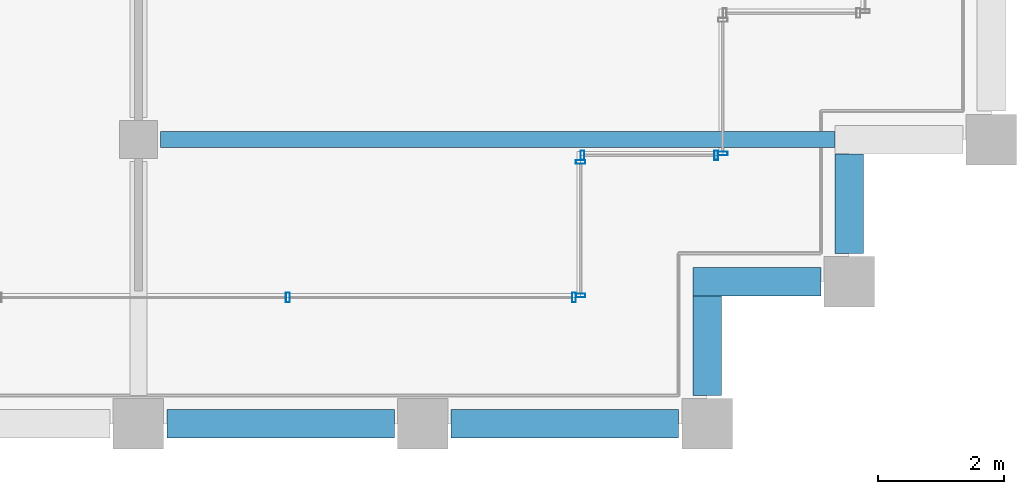
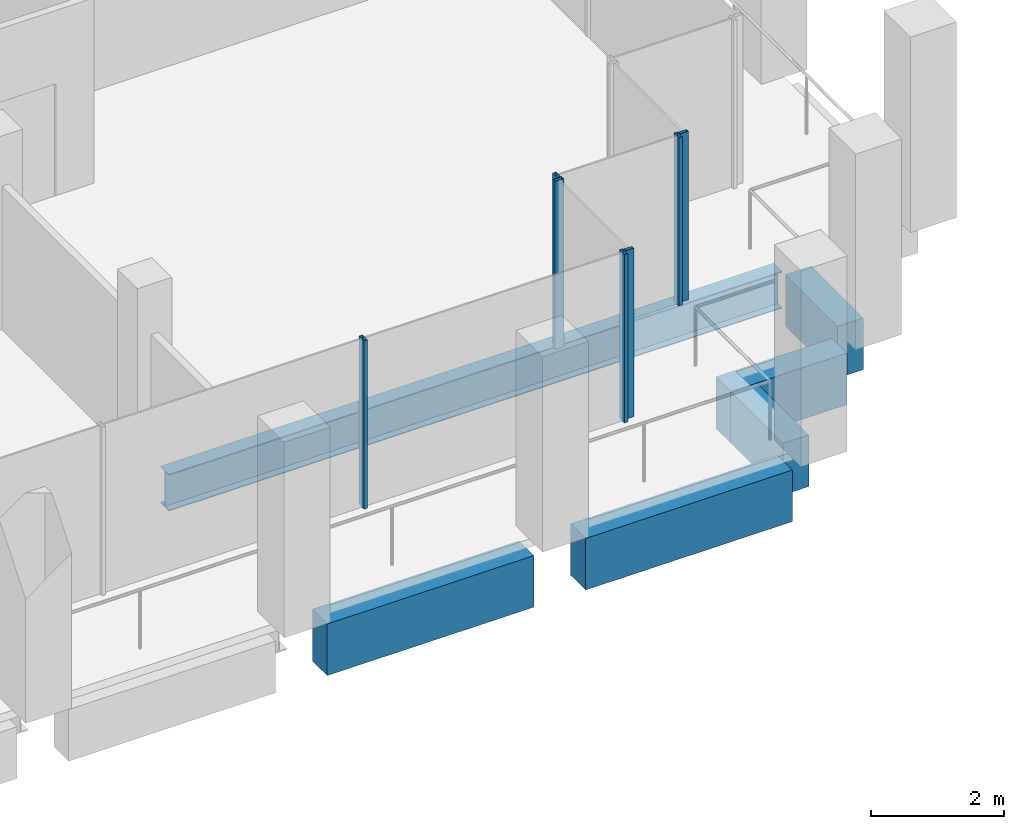
# One storey, part 12 of 40: 7 members, 6 beams, 4 elements without a shape of their own.
"""IFC4 building model written with IfcOpenShell, lengths in metres."""

from ifc_helpers import new_model, si_unit, direction, frame, origin, origin_2d, place, context, subcontext, project, spatial, rectangle, hollow_rectangle, i_section, extrude, material, material_profile, profile_set, type_object, element, aggregate, save


model = new_model("IFC4")

# Units and contexts
model_context = context("Model", 3, precision=1e-05, world=origin(), true_north=direction((0.0, 1.0)))
body_context = subcontext(model_context, "Body", "Model", "MODEL_VIEW")
ifc_project = project(units=[si_unit("LENGTHUNIT", "METRE"), si_unit("AREAUNIT", "SQUARE_METRE"), si_unit("VOLUMEUNIT", "CUBIC_METRE"), si_unit("PLANEANGLEUNIT", "RADIAN"), si_unit("MASSUNIT", "GRAM", prefix="KILO")], contexts=[model_context])

# Site, building, storey
site_placement = place(None, origin())
site = spatial("IfcSite", under=ifc_project, at=site_placement, CompositionType="ELEMENT")
building_placement = place(site_placement, origin())
building = spatial("IfcBuilding", under=site, at=building_placement, Name="Altepetl Exchange Towers", CompositionType="ELEMENT")
storey_placement = place(building_placement, frame((0.0, 0.0, 195.60009765625)))
storey = spatial("IfcBuildingStorey", under=building, at=storey_placement, Name="L49", CompositionType="ELEMENT", Elevation=195.60009765625)

# Beam
ifc_material_1 = material(Name="Steel S355", Category="steel")
ifc_material_profile_1 = material_profile(ifc_material_1, i_section(OverallWidth=0.2529296875, OverallDepth=0.677978515625, WebThickness=0.01171875, FlangeThickness=0.016357421875, at=origin_2d()), Name="W27X84")
ifc_profile_set_1 = profile_set([ifc_material_profile_1], Name="Steel S355")
beam_type_1 = type_object("IfcBeamType", Name="Floor beam W27X84", PredefinedType="BEAM", material=ifc_profile_set_1)
beam_1_placement = place(storey_placement, frame((58.85009765625, 31.5, -0.489013671875), z_axis=(1.0, 0.0, 0.0), x_axis=(0.0, 1.0, 0.0)))
element("IfcBeam", 1, at=beam_1_placement, inside=storey, type_object=beam_type_1, Name="bm:A:L49:006", PredefinedType="BEAM", context=body_context, shape_type="SweptSolid", body=[
    extrude(i_section(OverallWidth=0.2529296875, OverallDepth=0.677978515625, WebThickness=0.01171875, FlangeThickness=0.016357421875, at=origin_2d()), origin(), (0.0, 0.0, 1.0), 10.6748046875),
])

# Curtain wall, members
ifc_material_2 = material(Name="Aluminium 6063-T6 glazing", Category="aluminium")
curtain_wall_type = type_object("IfcCurtainWallType", Name="Loggia glazing system", PredefinedType="NOTDEFINED", material=ifc_material_2)
curtain_wall_1_placement = place(storey_placement, origin())
curtain_wall_1 = element("IfcCurtainWall", 2, at=curtain_wall_1_placement, inside=storey, type_object=curtain_wall_type, Name="CW1 run", PredefinedType="NOTDEFINED")
ifc_material_3 = material(Name="Aluminium 6063-T6", Category="aluminium")
ifc_material_profile_2 = material_profile(ifc_material_3, hollow_rectangle(XDim=0.06005859375, YDim=0.14990234375, WallThickness=0.0029296875, at=origin_2d()), Name="Mullion 60x150 aluminium")
ifc_profile_set_2 = profile_set([ifc_material_profile_2], Name="Aluminium 6063-T6")
member_type = type_object("IfcMemberType", Name="Mullion 60x150 aluminium", PredefinedType="MULLION", material=ifc_profile_set_2)
member_1_placement = place(storey_placement, frame((60.8642578125, 29.0, 0.0)))
member_1 = element("IfcMember", 3, at=member_1_placement, type_object=member_type, Name="MU1 mullion", PredefinedType="MULLION", context=body_context, shape_type="SweptSolid", body=[
    extrude(hollow_rectangle(XDim=0.06005859375, YDim=0.14990234375, WallThickness=0.0029296875, at=origin_2d()), origin(), (0.0, 0.0, 1.0), 3.099853515625),
])
member_2_placement = place(storey_placement, frame((65.39501953125, 29.0, 0.0)))
member_2 = element("IfcMember", 4, at=member_2_placement, type_object=member_type, Name="MU1 mullion", PredefinedType="MULLION", context=body_context, shape_type="SweptSolid", body=[
    extrude(hollow_rectangle(XDim=0.06005859375, YDim=0.14990234375, WallThickness=0.0029296875, at=origin_2d()), origin(), (0.0, 0.0, 1.0), 3.099853515625),
])
aggregate(curtain_wall_1, [member_1, member_2])

curtain_wall_2_placement = place(storey_placement, origin())
curtain_wall_2 = element("IfcCurtainWall", 5, at=curtain_wall_2_placement, inside=storey, type_object=curtain_wall_type, Name="CW1 run", PredefinedType="NOTDEFINED")
member_3_placement = place(storey_placement, frame((65.5, 29.030029296875, 0.0), z_axis=(0.0, 0.0, 1.0), x_axis=(0.0, 1.0, 0.0)))
member_3 = element("IfcMember", 6, at=member_3_placement, type_object=member_type, Name="MU1 mullion", PredefinedType="MULLION", context=body_context, shape_type="SweptSolid", body=[
    extrude(hollow_rectangle(XDim=0.06005859375, YDim=0.14990234375, WallThickness=0.0029296875, at=origin_2d()), origin(), (0.0, 0.0, 1.0), 3.099853515625),
])
member_4_placement = place(storey_placement, frame((65.5, 31.14501953125, 0.0), z_axis=(0.0, 0.0, 1.0), x_axis=(0.0, 1.0, 0.0)))
member_4 = element("IfcMember", 7, at=member_4_placement, type_object=member_type, Name="MU1 mullion", PredefinedType="MULLION", context=body_context, shape_type="SweptSolid", body=[
    extrude(hollow_rectangle(XDim=0.06005859375, YDim=0.14990234375, WallThickness=0.0029296875, at=origin_2d()), origin(), (0.0, 0.0, 1.0), 3.099853515625),
])
aggregate(curtain_wall_2, [member_3, member_4])

curtain_wall_3_placement = place(storey_placement, origin())
curtain_wall_3 = element("IfcCurtainWall", 8, at=curtain_wall_3_placement, inside=storey, type_object=curtain_wall_type, Name="CW1 run", PredefinedType="NOTDEFINED")
member_5_placement = place(storey_placement, frame((65.530029296875, 31.25, 0.0)))
member_5 = element("IfcMember", 9, at=member_5_placement, type_object=member_type, Name="MU1 mullion", PredefinedType="MULLION", context=body_context, shape_type="SweptSolid", body=[
    extrude(hollow_rectangle(XDim=0.06005859375, YDim=0.14990234375, WallThickness=0.0029296875, at=origin_2d()), origin(), (0.0, 0.0, 1.0), 3.099853515625),
])
member_6_placement = place(storey_placement, frame((67.64501953125, 31.25, 0.0)))
member_6 = element("IfcMember", 10, at=member_6_placement, type_object=member_type, Name="MU1 mullion", PredefinedType="MULLION", context=body_context, shape_type="SweptSolid", body=[
    extrude(hollow_rectangle(XDim=0.06005859375, YDim=0.14990234375, WallThickness=0.0029296875, at=origin_2d()), origin(), (0.0, 0.0, 1.0), 3.099853515625),
])
aggregate(curtain_wall_3, [member_5, member_6])

# Curtain wall, member
curtain_wall_4_placement = place(storey_placement, origin())
curtain_wall_4 = element("IfcCurtainWall", 11, at=curtain_wall_4_placement, inside=storey, type_object=curtain_wall_type, Name="CW1 run", PredefinedType="NOTDEFINED")
member_7_placement = place(storey_placement, frame((67.75, 31.280029296875, 0.0), z_axis=(0.0, 0.0, 1.0), x_axis=(0.0, 1.0, 0.0)))
member_7 = element("IfcMember", 12, at=member_7_placement, type_object=member_type, Name="MU1 mullion", PredefinedType="MULLION", context=body_context, shape_type="SweptSolid", body=[
    extrude(hollow_rectangle(XDim=0.06005859375, YDim=0.14990234375, WallThickness=0.0029296875, at=origin_2d()), origin(), (0.0, 0.0, 1.0), 3.099853515625),
])
aggregate(curtain_wall_4, [member_7])

# Beams
ifc_material_4 = material(Name="Concrete C50/60 precast with cantera amarilla facing", Category="concrete")
ifc_material_profile_3 = material_profile(ifc_material_4, rectangle(XDim=0.449951171875, YDim=0.949951171875, at=origin_2d()), Name="450 x 950")
ifc_profile_set_3 = profile_set([ifc_material_profile_3], Name="Concrete C50/60 precast with cantera amarilla facing")
beam_type_2 = type_object("IfcBeamType", Name="Spandrel beam 450x950 cantera amarilla", PredefinedType="SPANDREL", material=ifc_profile_set_3)
for number, where, z_axis, x_axis, name in (
    (13, (58.949951171875, 27.0, -0.625), (1.0, 0.0, 0.0), (0.0, 1.0, 0.0), "sp:A:L49:006"),
    (14, (63.449951171875, 27.0, -0.625), (1.0, 0.0, 0.0), (0.0, 1.0, 0.0), "sp:A:L49:007"),
):
    element("IfcBeam", number, at=place(storey_placement, frame(where, z_axis=z_axis, x_axis=x_axis)), inside=storey, type_object=beam_type_2, Name=name, PredefinedType="SPANDREL", context=body_context, shape_type="SweptSolid", body=[
        extrude(rectangle(XDim=0.449951171875, YDim=0.949951171875, at=origin_2d()), origin(), (0.0, 0.0, 1.0), 3.60009765625),
    ])
beam_2_placement = place(storey_placement, frame((67.5, 27.449951171875, -0.625), z_axis=(0.0, 1.0, 0.0), x_axis=(-1.0, 0.0, 0.0)))
element("IfcBeam", 15, at=beam_2_placement, inside=storey, type_object=beam_type_2, Name="sp:A:L49:008", PredefinedType="SPANDREL", context=body_context, shape_type="SweptSolid", body=[
    extrude(rectangle(XDim=0.449951171875, YDim=0.949951171875, at=origin_2d()), origin(), (0.0, 0.0, 1.0), 1.574951171875),
])
beam_3_placement = place(storey_placement, frame((67.27490234375, 29.25, -0.625), z_axis=(1.0, 0.0, 0.0), x_axis=(0.0, 1.0, 0.0)))
element("IfcBeam", 16, at=beam_3_placement, inside=storey, type_object=beam_type_2, Name="sp:A:L49:009", PredefinedType="SPANDREL", context=body_context, shape_type="SweptSolid", body=[
    extrude(rectangle(XDim=0.449951171875, YDim=0.949951171875, at=origin_2d()), origin(), (0.0, 0.0, 1.0), 2.025146484375),
])
beam_4_placement = place(storey_placement, frame((69.75, 29.699951171875, -0.625), z_axis=(0.0, 1.0, 0.0), x_axis=(-1.0, 0.0, 0.0)))
element("IfcBeam", 17, at=beam_4_placement, inside=storey, type_object=beam_type_2, Name="sp:A:L49:010", PredefinedType="SPANDREL", context=body_context, shape_type="SweptSolid", body=[
    extrude(rectangle(XDim=0.449951171875, YDim=0.949951171875, at=origin_2d()), origin(), (0.0, 0.0, 1.0), 1.574951171875),
])

save(model, "model.ifc")
